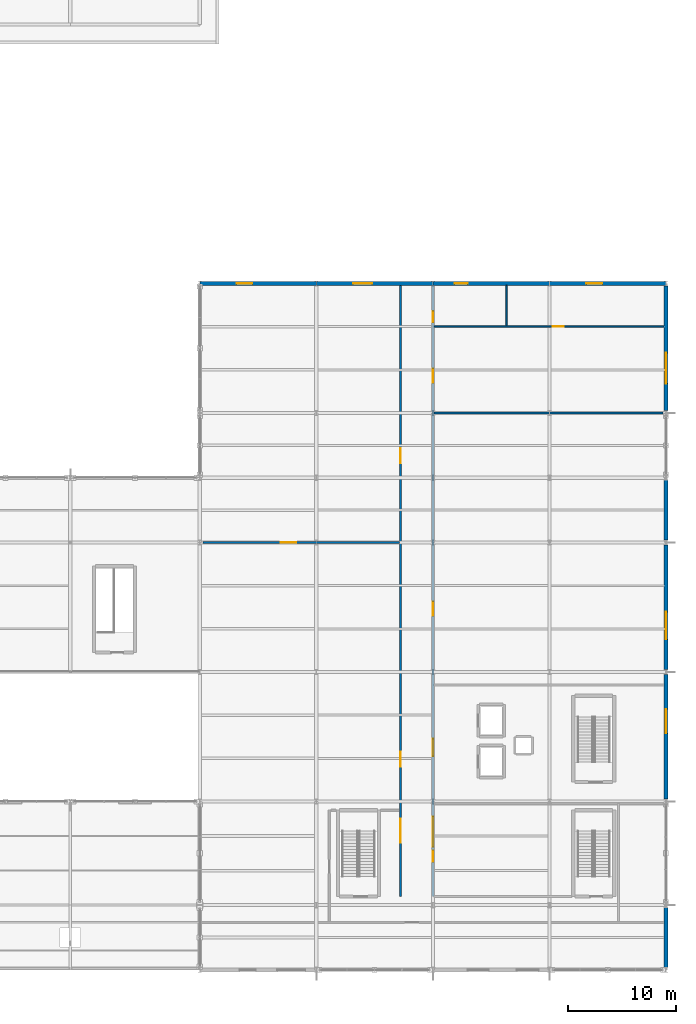
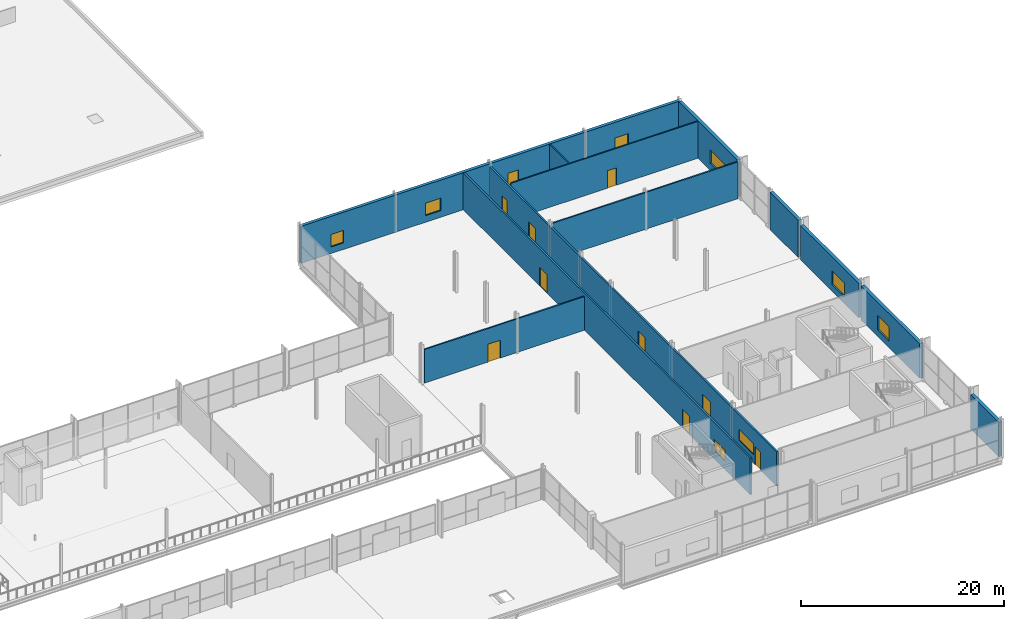
# One storey, part 142 of 159: 15 walls, 9 doors, 9 windows, 18 openings.
"""IFC4 building model written with IfcOpenShell, lengths in metres."""

from ifc_helpers import new_model, si_unit, direction, frame, frame_2d, origin, place, context, subcontext, project, spatial, rectangle, extrude, material, layer, layer_set, type_object, element, fill, save


model = new_model("IFC4")

# Units and contexts
model_context = context("Model", 3, precision=1e-05, world=origin(), true_north=direction((0.0, 1.0)))
body_context = subcontext(model_context, "Body", "Model", "MODEL_VIEW")
ifc_project = project(units=[si_unit("LENGTHUNIT", "METRE"), si_unit("AREAUNIT", "SQUARE_METRE"), si_unit("VOLUMEUNIT", "CUBIC_METRE"), si_unit("PLANEANGLEUNIT", "RADIAN"), si_unit("MASSUNIT", "GRAM", prefix="KILO")], contexts=[model_context])

# Site, building, storey
site_placement = place(None, origin())
site = spatial("IfcSite", under=ifc_project, at=site_placement, CompositionType="ELEMENT")
building_placement = place(site_placement, origin())
building = spatial("IfcBuilding", under=site, at=building_placement, Name="Merenkruunu Market Hall", CompositionType="ELEMENT")
storey_placement = place(building_placement, frame((0.0, 0.0, 5.39990234375)))
storey = spatial("IfcBuildingStorey", under=building, at=storey_placement, Name="L01", CompositionType="ELEMENT", Elevation=5.39990234375)

# Wall
ifc_material_1 = material(Name="Precast concrete C40/50", Category="concrete")
ifc_layer_1 = layer(ifc_material_1, 0.3798828125)
ifc_layer_set_1 = layer_set([ifc_layer_1], Name="Precast concrete C40/50")
wall_type_1 = type_object("IfcWallType", Name="Exterior Envelope Wall EW02", PredefinedType="STANDARD", material=ifc_layer_set_1)
wall_1_placement = place(storey_placement, frame((192.0, 5.77099609375, 0.0), z_axis=(0.0, 0.0, 1.0), x_axis=(0.0, -1.0, 0.0)))
element("IfcWall", 1, at=wall_1_placement, inside=storey, type_object=wall_type_1, Name="WALL-EXT-L01-0075", PredefinedType="STANDARD", context=body_context, shape_type="SweptSolid", body=[
    extrude(rectangle(XDim=5.5419921875, YDim=0.3798828125, at=frame_2d((2.77099609375, 0.0))), origin(), (0.0, 0.0, 1.0), 4.135009765625),
])

# Wall, opening, window
wall_2_placement = place(storey_placement, frame((192.0, 27.37109375, 0.0), z_axis=(0.0, 0.0, 1.0), x_axis=(0.0, -1.0, 0.0)))
wall_2 = element("IfcWall", 2, at=wall_2_placement, inside=storey, type_object=wall_type_1, Name="WALL-EXT-L01-0076", PredefinedType="STANDARD", context=body_context, shape_type="SweptSolid", body=[
    extrude(rectangle(XDim=11.5419921875, YDim=0.3798828125, at=frame_2d((5.77099609375, 0.0))), origin(), (0.0, 0.0, 1.0), 4.135009765625),
])
opening_1_placement = place(wall_2_placement, frame((3.199951171875, 0.0, 0.800048828125)))
opening_1 = element("IfcOpeningElement", 3, at=opening_1_placement, cuts=wall_2, Name="Opening WN26", PredefinedType="OPENING", context=body_context, shape_type="SweptSolid", body=[
    extrude(rectangle(XDim=2.25, YDim=1.75, at=frame_2d((1.125, 0.875))), frame((0.0, 0.199951171875, 0.0), z_axis=(0.0, -1.0, 0.0), x_axis=(1.0, 0.0, 0.0)), (0.0, 0.0, 1.0), 0.39990234375),
])
ifc_material_2 = material(Name="Triple low-E insulated glass", Category="glass")
ifc_layer_2 = layer(ifc_material_2, 0.06005859375)
ifc_layer_set_2 = layer_set([ifc_layer_2], Name="Triple low-E insulated glass")
window_type_1 = type_object("IfcWindowType", Name="Exterior Window WN26", PartitioningType="SINGLE_PANEL", PredefinedType="WINDOW", material=ifc_layer_set_2)
window_1_placement = place(opening_1_placement, origin())
window_1 = element("IfcWindow", 4, at=window_1_placement, inside=storey, type_object=window_type_1, Name="WIN-L01-0031", OverallHeight=1.75, OverallWidth=2.25, PartitioningType="SINGLE_PANEL", PredefinedType="WINDOW", context=body_context, shape_type="SweptSolid", body=[
    extrude(rectangle(XDim=2.25, YDim=1.75, at=frame_2d((1.125, 0.875))), frame((0.0, 0.030029296875, 0.0), z_axis=(0.0, -1.0, 0.0), x_axis=(1.0, 0.0, 0.0)), (0.0, 0.0, 1.0), 0.06005859375),
])
fill(opening_1, window_1)

wall_3_placement = place(storey_placement, frame((192.0, 39.37109375, 0.0), z_axis=(0.0, 0.0, 1.0), x_axis=(0.0, -1.0, 0.0)))
wall_3 = element("IfcWall", 5, at=wall_3_placement, inside=storey, type_object=wall_type_1, Name="WALL-EXT-L01-0077", PredefinedType="STANDARD", context=body_context, shape_type="SweptSolid", body=[
    extrude(rectangle(XDim=11.5419921875, YDim=0.3798828125, at=frame_2d((5.77099609375, 0.0))), origin(), (0.0, 0.0, 1.0), 4.135009765625),
])
opening_2_placement = place(wall_3_placement, frame((6.199951171875, 0.0, 0.800048828125)))
opening_2 = element("IfcOpeningElement", 6, at=opening_2_placement, cuts=wall_3, Name="Opening WN27", PredefinedType="OPENING", context=body_context, shape_type="SweptSolid", body=[
    extrude(rectangle(XDim=2.550048828125, YDim=1.64990234375, at=frame_2d((1.27490234375, 0.824951171875))), frame((0.0, 0.199951171875, 0.0), z_axis=(0.0, -1.0, 0.0), x_axis=(1.0, 0.0, 0.0)), (0.0, 0.0, 1.0), 0.39990234375),
])
ifc_layer_3 = layer(ifc_material_2, 0.06005859375)
ifc_layer_set_3 = layer_set([ifc_layer_3], Name="Triple low-E insulated glass")
window_type_2 = type_object("IfcWindowType", Name="Exterior Window WN27", PartitioningType="SINGLE_PANEL", PredefinedType="WINDOW", material=ifc_layer_set_3)
window_2_placement = place(opening_2_placement, origin())
window_2 = element("IfcWindow", 7, at=window_2_placement, inside=storey, type_object=window_type_2, Name="WIN-L01-0032", OverallHeight=1.64990234375, OverallWidth=2.550048828125, PartitioningType="SINGLE_PANEL", PredefinedType="WINDOW", context=body_context, shape_type="SweptSolid", body=[
    extrude(rectangle(XDim=2.550048828125, YDim=1.64990234375, at=frame_2d((1.27490234375, 0.824951171875))), frame((0.0, 0.030029296875, 0.0), z_axis=(0.0, -1.0, 0.0), x_axis=(1.0, 0.0, 0.0)), (0.0, 0.0, 1.0), 0.06005859375),
])
fill(opening_2, window_2)

# Wall
wall_4_placement = place(storey_placement, frame((192.0, 45.3759765625, 0.0), z_axis=(0.0, 0.0, 1.0), x_axis=(0.0, -1.0, 0.0)))
element("IfcWall", 8, at=wall_4_placement, inside=storey, type_object=wall_type_1, Name="WALL-EXT-L01-0078", PredefinedType="STANDARD", context=body_context, shape_type="SweptSolid", body=[
    extrude(rectangle(XDim=5.546875, YDim=0.3798828125, at=frame_2d((2.7734375, 0.0))), origin(), (0.0, 0.0, 1.0), 4.47998046875),
])

# Wall, opening, window
wall_5_placement = place(storey_placement, frame((192.0, 63.3759765625, 0.0), z_axis=(0.0, 0.0, 1.0), x_axis=(0.0, -1.0, 0.0)))
wall_5 = element("IfcWall", 9, at=wall_5_placement, inside=storey, type_object=wall_type_1, Name="WALL-EXT-L01-0079", PredefinedType="STANDARD", context=body_context, shape_type="SweptSolid", body=[
    extrude(rectangle(XDim=11.552001953125, YDim=0.3798828125, at=frame_2d((5.77587890625, 0.0))), origin(), (0.0, 0.0, 1.0), 4.47998046875),
])
opening_3_placement = place(wall_5_placement, frame((6.199951171875, 0.0, 0.800048828125)))
opening_3 = element("IfcOpeningElement", 10, at=opening_3_placement, cuts=wall_5, Name="Opening WN28", PredefinedType="OPENING", context=body_context, shape_type="SweptSolid", body=[
    extrude(rectangle(XDim=2.85009765625, YDim=1.64990234375, at=frame_2d((1.425048828125, 0.824951171875))), frame((0.0, 0.199951171875, 0.0), z_axis=(0.0, -1.0, 0.0), x_axis=(1.0, 0.0, 0.0)), (0.0, 0.0, 1.0), 0.39990234375),
])
ifc_layer_4 = layer(ifc_material_2, 0.06005859375)
ifc_layer_set_4 = layer_set([ifc_layer_4], Name="Triple low-E insulated glass")
window_type_3 = type_object("IfcWindowType", Name="Exterior Window WN28", PartitioningType="SINGLE_PANEL", PredefinedType="WINDOW", material=ifc_layer_set_4)
window_3_placement = place(opening_3_placement, origin())
window_3 = element("IfcWindow", 11, at=window_3_placement, inside=storey, type_object=window_type_3, Name="WIN-L01-0033", OverallHeight=1.64990234375, OverallWidth=2.85009765625, PartitioningType="SINGLE_PANEL", PredefinedType="WINDOW", context=body_context, shape_type="SweptSolid", body=[
    extrude(rectangle(XDim=2.85009765625, YDim=1.64990234375, at=frame_2d((1.425048828125, 0.824951171875))), frame((0.0, 0.030029296875, 0.0), z_axis=(0.0, -1.0, 0.0), x_axis=(1.0, 0.0, 0.0)), (0.0, 0.0, 1.0), 0.06005859375),
])
fill(opening_3, window_3)

ifc_layer_5 = layer(ifc_material_1, 0.340087890625)
ifc_layer_set_5 = layer_set([ifc_layer_5], Name="Precast concrete C40/50")
wall_type_2 = type_object("IfcWallType", Name="Exterior Envelope Wall EW03", PredefinedType="STANDARD", material=ifc_layer_set_5)
wall_6_placement = place(storey_placement, frame((148.809814453125, 63.60009765625, 0.0), z_axis=(0.0, 0.0, 1.0), x_axis=(1.0, 0.0, 0.0)))
wall_6 = element("IfcWall", 12, at=wall_6_placement, inside=storey, type_object=wall_type_2, Name="WALL-EXT-L01-0080", PredefinedType="STANDARD", context=body_context, shape_type="SweptSolid", body=[
    extrude(rectangle(XDim=10.7802734375, YDim=0.340087890625, at=frame_2d((5.39013671875, 0.0))), origin(), (0.0, 0.0, 1.0), 4.47998046875),
])
opening_4_placement = place(wall_6_placement, frame((3.39990234375, 0.0, 0.800048828125)))
opening_4 = element("IfcOpeningElement", 13, at=opening_4_placement, cuts=wall_6, Name="Opening WN29", PredefinedType="OPENING", context=body_context, shape_type="SweptSolid", body=[
    extrude(rectangle(XDim=1.449951171875, YDim=1.5, at=frame_2d((0.72509765625, 0.75))), frame((0.0, 0.18017578125, 0.0), z_axis=(0.0, -1.0, 0.0), x_axis=(1.0, 0.0, 0.0)), (0.0, 0.0, 1.0), 0.360107421875),
])
ifc_layer_6 = layer(ifc_material_2, 0.06005859375)
ifc_layer_set_6 = layer_set([ifc_layer_6], Name="Triple low-E insulated glass")
window_type_4 = type_object("IfcWindowType", Name="Exterior Window WN29", PartitioningType="SINGLE_PANEL", PredefinedType="WINDOW", material=ifc_layer_set_6)
window_4_placement = place(opening_4_placement, origin())
window_4 = element("IfcWindow", 14, at=window_4_placement, inside=storey, type_object=window_type_4, Name="WIN-L01-0034", OverallHeight=1.5, OverallWidth=1.449951171875, PartitioningType="SINGLE_PANEL", PredefinedType="WINDOW", context=body_context, shape_type="SweptSolid", body=[
    extrude(rectangle(XDim=1.449951171875, YDim=1.5, at=frame_2d((0.72509765625, 0.75))), frame((0.0, 0.030029296875, 0.0), z_axis=(0.0, -1.0, 0.0), x_axis=(1.0, 0.0, 0.0)), (0.0, 0.0, 1.0), 0.06005859375),
])
fill(opening_4, window_4)

wall_7_placement = place(storey_placement, frame((159.609619140625, 63.60009765625, 0.0), z_axis=(0.0, 0.0, 1.0), x_axis=(1.0, 0.0, 0.0)))
wall_7 = element("IfcWall", 15, at=wall_7_placement, inside=storey, type_object=wall_type_2, Name="WALL-EXT-L01-0081", PredefinedType="STANDARD", context=body_context, shape_type="SweptSolid", body=[
    extrude(rectangle(XDim=10.78076171875, YDim=0.340087890625, at=frame_2d((5.390380859375, 0.0))), origin(), (0.0, 0.0, 1.0), 4.47998046875),
])
opening_5_placement = place(wall_7_placement, frame((3.39990234375, 0.0, 0.800048828125)))
opening_5 = element("IfcOpeningElement", 16, at=opening_5_placement, cuts=wall_7, Name="Opening WN30", PredefinedType="OPENING", context=body_context, shape_type="SweptSolid", body=[
    extrude(rectangle(XDim=1.75, YDim=1.5, at=frame_2d((0.875, 0.75))), frame((0.0, 0.18017578125, 0.0), z_axis=(0.0, -1.0, 0.0), x_axis=(1.0, 0.0, 0.0)), (0.0, 0.0, 1.0), 0.360107421875),
])
ifc_layer_7 = layer(ifc_material_2, 0.06005859375)
ifc_layer_set_7 = layer_set([ifc_layer_7], Name="Triple low-E insulated glass")
window_type_5 = type_object("IfcWindowType", Name="Exterior Window WN30", PartitioningType="SINGLE_PANEL", PredefinedType="WINDOW", material=ifc_layer_set_7)
window_5_placement = place(opening_5_placement, origin())
window_5 = element("IfcWindow", 17, at=window_5_placement, inside=storey, type_object=window_type_5, Name="WIN-L01-0035", OverallHeight=1.5, OverallWidth=1.75, PartitioningType="SINGLE_PANEL", PredefinedType="WINDOW", context=body_context, shape_type="SweptSolid", body=[
    extrude(rectangle(XDim=1.75, YDim=1.5, at=frame_2d((0.875, 0.75))), frame((0.0, 0.030029296875, 0.0), z_axis=(0.0, -1.0, 0.0), x_axis=(1.0, 0.0, 0.0)), (0.0, 0.0, 1.0), 0.06005859375),
])
fill(opening_5, window_5)

wall_8_placement = place(storey_placement, frame((170.409912109375, 63.60009765625, 0.0), z_axis=(0.0, 0.0, 1.0), x_axis=(1.0, 0.0, 0.0)))
wall_8 = element("IfcWall", 18, at=wall_8_placement, inside=storey, type_object=wall_type_2, Name="WALL-EXT-L01-0082", PredefinedType="STANDARD", context=body_context, shape_type="SweptSolid", body=[
    extrude(rectangle(XDim=10.7802734375, YDim=0.340087890625, at=frame_2d((5.39013671875, 0.0))), origin(), (0.0, 0.0, 1.0), 4.47998046875),
])
opening_6_placement = place(wall_8_placement, frame((2.0, 0.0, 0.800048828125)))
opening_6 = element("IfcOpeningElement", 19, at=opening_6_placement, cuts=wall_8, Name="Opening WN01", PredefinedType="OPENING", context=body_context, shape_type="SweptSolid", body=[
    extrude(rectangle(XDim=1.199951171875, YDim=1.800048828125, at=frame_2d((0.60009765625, 0.89990234375))), frame((0.0, 0.18017578125, 0.0), z_axis=(0.0, -1.0, 0.0), x_axis=(1.0, 0.0, 0.0)), (0.0, 0.0, 1.0), 0.360107421875),
])
ifc_layer_8 = layer(ifc_material_2, 0.06005859375)
ifc_layer_set_8 = layer_set([ifc_layer_8], Name="Triple low-E insulated glass")
window_type_6 = type_object("IfcWindowType", Name="Exterior Window WN01", PartitioningType="SINGLE_PANEL", PredefinedType="WINDOW", material=ifc_layer_set_8)
window_6_placement = place(opening_6_placement, origin())
window_6 = element("IfcWindow", 20, at=window_6_placement, inside=storey, type_object=window_type_6, Name="WIN-L01-0036", OverallHeight=1.800048828125, OverallWidth=1.199951171875, PartitioningType="SINGLE_PANEL", PredefinedType="WINDOW", context=body_context, shape_type="SweptSolid", body=[
    extrude(rectangle(XDim=1.199951171875, YDim=1.800048828125, at=frame_2d((0.60009765625, 0.89990234375))), frame((0.0, 0.030029296875, 0.0), z_axis=(0.0, -1.0, 0.0), x_axis=(1.0, 0.0, 0.0)), (0.0, 0.0, 1.0), 0.06005859375),
])
fill(opening_6, window_6)

wall_9_placement = place(storey_placement, frame((181.209716796875, 63.60009765625, 0.0), z_axis=(0.0, 0.0, 1.0), x_axis=(1.0, 0.0, 0.0)))
wall_9 = element("IfcWall", 21, at=wall_9_placement, inside=storey, type_object=wall_type_2, Name="WALL-EXT-L01-0083", PredefinedType="STANDARD", context=body_context, shape_type="SweptSolid", body=[
    extrude(rectangle(XDim=10.780517578125, YDim=0.340087890625, at=frame_2d((5.39013671875, 0.0))), origin(), (0.0, 0.0, 1.0), 4.47998046875),
])
opening_7_placement = place(wall_9_placement, frame((3.39990234375, 0.0, 0.800048828125)))
opening_7 = element("IfcOpeningElement", 22, at=opening_7_placement, cuts=wall_9, Name="Opening WN02", PredefinedType="OPENING", context=body_context, shape_type="SweptSolid", body=[
    extrude(rectangle(XDim=1.5, YDim=1.800048828125, at=frame_2d((0.75, 0.89990234375))), frame((0.0, 0.18017578125, 0.0), z_axis=(0.0, -1.0, 0.0), x_axis=(1.0, 0.0, 0.0)), (0.0, 0.0, 1.0), 0.360107421875),
])
ifc_layer_9 = layer(ifc_material_2, 0.06005859375)
ifc_layer_set_9 = layer_set([ifc_layer_9], Name="Triple low-E insulated glass")
window_type_7 = type_object("IfcWindowType", Name="Exterior Window WN02", PartitioningType="SINGLE_PANEL", PredefinedType="WINDOW", material=ifc_layer_set_9)
window_7_placement = place(opening_7_placement, origin())
window_7 = element("IfcWindow", 23, at=window_7_placement, inside=storey, type_object=window_type_7, Name="WIN-L01-0037", OverallHeight=1.800048828125, OverallWidth=1.5, PartitioningType="SINGLE_PANEL", PredefinedType="WINDOW", context=body_context, shape_type="SweptSolid", body=[
    extrude(rectangle(XDim=1.5, YDim=1.800048828125, at=frame_2d((0.75, 0.89990234375))), frame((0.0, 0.030029296875, 0.0), z_axis=(0.0, -1.0, 0.0), x_axis=(1.0, 0.0, 0.0)), (0.0, 0.0, 1.0), 0.06005859375),
])
fill(opening_7, window_7)

# Wall, openings, doors, window
ifc_material_3 = material(Name="Gypsum fire compartment board")
ifc_layer_10 = layer(ifc_material_3, 0.199951171875)
ifc_layer_set_10 = layer_set([ifc_layer_10], Name="Gypsum fire compartment board")
wall_type_3 = type_object("IfcWallType", Name="Interior Partition Wall FW02", PredefinedType="PARTITIONING", material=ifc_layer_set_10)
wall_10_placement = place(storey_placement, frame((167.39990234375, 6.800048828125, 0.0), z_axis=(0.0, 0.0, 1.0), x_axis=(0.0, 1.0, 0.0)))
wall_10 = element("IfcWall", 24, at=wall_10_placement, inside=storey, type_object=wall_type_3, Name="WALL-INT-L01-0057", PredefinedType="PARTITIONING", context=body_context, shape_type="SweptSolid", body=[
    extrude(rectangle(XDim=56.6279296875, YDim=0.199951171875, at=frame_2d((28.31396484375, 0.0))), origin(), (0.0, 0.0, 1.0), 4.440185546875),
])
opening_8_placement = place(wall_10_placement, frame((12.0, 0.0, 0.0)))
opening_8 = element("IfcOpeningElement", 25, at=opening_8_placement, cuts=wall_10, Name="Opening FD04", PredefinedType="OPENING", context=body_context, shape_type="SweptSolid", body=[
    extrude(rectangle(XDim=1.39990234375, YDim=2.199951171875, at=frame_2d((0.699951171875, 1.10009765625))), frame((0.0, 0.10986328125, 0.0), z_axis=(0.0, -1.0, 0.0), x_axis=(1.0, 0.0, 0.0)), (0.0, 0.0, 1.0), 0.219970703125),
])
opening_9_placement = place(wall_10_placement, frame((40.133056640625, 0.0, 0.0)))
opening_9 = element("IfcOpeningElement", 26, at=opening_9_placement, cuts=wall_10, Name="Opening FD04", PredefinedType="OPENING", context=body_context, shape_type="SweptSolid", body=[
    extrude(rectangle(XDim=1.39990234375, YDim=2.199951171875, at=frame_2d((0.699951171875, 1.10009765625))), frame((0.0, 0.10986328125, 0.0), z_axis=(0.0, -1.0, 0.0), x_axis=(1.0, 0.0, 0.0)), (0.0, 0.0, 1.0), 0.219970703125),
])
opening_10_placement = place(wall_10_placement, frame((5.0, 0.0, 1.050048828125)))
opening_10 = element("IfcOpeningElement", 27, at=opening_10_placement, cuts=wall_10, Name="Opening WN21", PredefinedType="OPENING", context=body_context, shape_type="SweptSolid", body=[
    extrude(rectangle(XDim=2.199951171875, YDim=1.300048828125, at=frame_2d((1.10009765625, 0.64990234375))), frame((0.0, 0.10986328125, 0.0), z_axis=(0.0, -1.0, 0.0), x_axis=(1.0, 0.0, 0.0)), (0.0, 0.0, 1.0), 0.219970703125),
])
ifc_material_4 = material(Name="Powder-coated aluminium", Category="aluminium")
door_type_1 = type_object("IfcDoorType", Name="Fire Compartment Door FD04", OperationType="NOTDEFINED", PredefinedType="DOOR", material=ifc_material_4)
door_1_placement = place(opening_8_placement, origin())
door_1 = element("IfcDoor", 28, at=door_1_placement, inside=storey, type_object=door_type_1, Name="DR-L01-058", OperationType="SINGLE_SWING_RIGHT", OverallHeight=2.199951171875, OverallWidth=1.39990234375, PredefinedType="DOOR", context=body_context, shape_type="SweptSolid", body=[
    extrude(rectangle(XDim=1.39990234375, YDim=2.199951171875, at=frame_2d((0.699951171875, 1.10009765625))), frame((0.0, 0.02490234375, 0.0), z_axis=(0.0, -1.0, 0.0), x_axis=(1.0, 0.0, 0.0)), (0.0, 0.0, 1.0), 0.050048828125),
])
fill(opening_8, door_1)
door_2_placement = place(opening_9_placement, origin())
door_2 = element("IfcDoor", 29, at=door_2_placement, inside=storey, type_object=door_type_1, Name="DR-L01-059", OperationType="SINGLE_SWING_LEFT", OverallHeight=2.199951171875, OverallWidth=1.39990234375, PredefinedType="DOOR", context=body_context, shape_type="SweptSolid", body=[
    extrude(rectangle(XDim=1.39990234375, YDim=2.199951171875, at=frame_2d((0.699951171875, 1.10009765625))), frame((0.0, 0.02490234375, 0.0), z_axis=(0.0, -1.0, 0.0), x_axis=(1.0, 0.0, 0.0)), (0.0, 0.0, 1.0), 0.050048828125),
])
fill(opening_9, door_2)
ifc_material_5 = material(Name="Laminated safety glass", Category="glass")
ifc_layer_11 = layer(ifc_material_5, 0.06005859375)
ifc_layer_set_11 = layer_set([ifc_layer_11], Name="Laminated safety glass")
window_type_8 = type_object("IfcWindowType", Name="Internal Observation Window WN21", PartitioningType="SINGLE_PANEL", PredefinedType="WINDOW", material=ifc_layer_set_11)
window_8_placement = place(opening_10_placement, origin())
window_8 = element("IfcWindow", 30, at=window_8_placement, inside=storey, type_object=window_type_8, Name="WIN-INT-L01-03", OverallHeight=1.300048828125, OverallWidth=2.199951171875, PartitioningType="SINGLE_PANEL", PredefinedType="WINDOW", context=body_context, shape_type="SweptSolid", body=[
    extrude(rectangle(XDim=2.199951171875, YDim=1.300048828125, at=frame_2d((1.10009765625, 0.64990234375))), frame((0.0, 0.030029296875, 0.0), z_axis=(0.0, -1.0, 0.0), x_axis=(1.0, 0.0, 0.0)), (0.0, 0.0, 1.0), 0.06005859375),
])
fill(opening_10, window_8)

wall_11_placement = place(storey_placement, frame((170.39990234375, 6.800048828125, 0.0), z_axis=(0.0, 0.0, 1.0), x_axis=(0.0, 1.0, 0.0)))
wall_11 = element("IfcWall", 31, at=wall_11_placement, inside=storey, type_object=wall_type_3, Name="WALL-INT-L01-0062", PredefinedType="PARTITIONING", context=body_context, shape_type="SweptSolid", body=[
    extrude(rectangle(XDim=56.6279296875, YDim=0.199951171875, at=frame_2d((28.31396484375, 0.0))), origin(), (0.0, 0.0, 1.0), 4.135009765625),
])
opening_11_placement = place(wall_11_placement, frame((3.199951171875, 0.0, 0.0)))
opening_11 = element("IfcOpeningElement", 32, at=opening_11_placement, cuts=wall_11, Name="Opening D03", PredefinedType="OPENING", context=body_context, shape_type="SweptSolid", body=[
    extrude(rectangle(XDim=1.050048828125, YDim=2.14990234375, at=frame_2d((0.52490234375, 1.074951171875))), frame((0.0, 0.10986328125, 0.0), z_axis=(0.0, -1.0, 0.0), x_axis=(1.0, 0.0, 0.0)), (0.0, 0.0, 1.0), 0.219970703125),
])
opening_12_placement = place(wall_11_placement, frame((13.0, 0.0, 0.0)))
opening_12 = element("IfcOpeningElement", 33, at=opening_12_placement, cuts=wall_11, Name="Opening FD05", PredefinedType="OPENING", context=body_context, shape_type="SweptSolid", body=[
    extrude(rectangle(XDim=1.60009765625, YDim=2.199951171875, at=frame_2d((0.800048828125, 1.10009765625))), frame((0.0, 0.10986328125, 0.0), z_axis=(0.0, -1.0, 0.0), x_axis=(1.0, 0.0, 0.0)), (0.0, 0.0, 1.0), 0.219970703125),
])
opening_13_placement = place(wall_11_placement, frame((26.0, 0.0, 0.0)))
opening_13 = element("IfcOpeningElement", 34, at=opening_13_placement, cuts=wall_11, Name="Opening D05", PredefinedType="OPENING", context=body_context, shape_type="SweptSolid", body=[
    extrude(rectangle(XDim=1.300048828125, YDim=2.14990234375, at=frame_2d((0.64990234375, 1.074951171875))), frame((0.0, 0.10986328125, 0.0), z_axis=(0.0, -1.0, 0.0), x_axis=(1.0, 0.0, 0.0)), (0.0, 0.0, 1.0), 0.219970703125),
])
opening_14_placement = place(wall_11_placement, frame((47.60009765625, 0.0, 0.0)))
opening_14 = element("IfcOpeningElement", 35, at=opening_14_placement, cuts=wall_11, Name="Opening D05", PredefinedType="OPENING", context=body_context, shape_type="SweptSolid", body=[
    extrude(rectangle(XDim=1.300048828125, YDim=2.14990234375, at=frame_2d((0.64990234375, 1.074951171875))), frame((0.0, 0.10986328125, 0.0), z_axis=(0.0, -1.0, 0.0), x_axis=(1.0, 0.0, 0.0)), (0.0, 0.0, 1.0), 0.219970703125),
])
opening_15_placement = place(wall_11_placement, frame((53.199951171875, 0.0, 0.0)))
opening_15 = element("IfcOpeningElement", 36, at=opening_15_placement, cuts=wall_11, Name="Opening D08", PredefinedType="OPENING", context=body_context, shape_type="SweptSolid", body=[
    extrude(rectangle(XDim=1.02001953125, YDim=2.1201171875, at=frame_2d((0.510009765625, 1.06005859375))), frame((0.0, 0.10986328125, 0.0), z_axis=(0.0, -1.0, 0.0), x_axis=(1.0, 0.0, 0.0)), (0.0, 0.0, 1.0), 0.219970703125),
])
opening_16_placement = place(wall_11_placement, frame((4.60009765625, 0.0, 1.050048828125)))
opening_16 = element("IfcOpeningElement", 37, at=opening_16_placement, cuts=wall_11, Name="Opening WN22", PredefinedType="OPENING", context=body_context, shape_type="SweptSolid", body=[
    extrude(rectangle(XDim=2.800048828125, YDim=1.300048828125, at=frame_2d((1.39990234375, 0.64990234375))), frame((0.0, 0.10986328125, 0.0), z_axis=(0.0, -1.0, 0.0), x_axis=(1.0, 0.0, 0.0)), (0.0, 0.0, 1.0), 0.219970703125),
])
ifc_material_6 = material(Name="Lacquered Nordic birch")
door_type_2 = type_object("IfcDoorType", Name="Accessible Sanitary Door D08", OperationType="NOTDEFINED", PredefinedType="DOOR", material=ifc_material_6)
door_3_placement = place(opening_15_placement, origin())
door_3 = element("IfcDoor", 38, at=door_3_placement, inside=storey, type_object=door_type_2, Name="DR-L01-066", OperationType="SINGLE_SWING_RIGHT", OverallHeight=2.1201171875, OverallWidth=1.02001953125, PredefinedType="DOOR", context=body_context, shape_type="SweptSolid", body=[
    extrude(rectangle(XDim=1.02001953125, YDim=2.1201171875, at=frame_2d((0.510009765625, 1.06005859375))), frame((0.0, 0.02490234375, 0.0), z_axis=(0.0, -1.0, 0.0), x_axis=(1.0, 0.0, 0.0)), (0.0, 0.0, 1.0), 0.050048828125),
])
fill(opening_15, door_3)
door_type_3 = type_object("IfcDoorType", Name="Fire Compartment Door FD05", OperationType="NOTDEFINED", PredefinedType="DOOR", material=ifc_material_4)
door_4_placement = place(opening_12_placement, origin())
door_4 = element("IfcDoor", 39, at=door_4_placement, inside=storey, type_object=door_type_3, Name="DR-L01-063", OperationType="SINGLE_SWING_LEFT", OverallHeight=2.199951171875, OverallWidth=1.60009765625, PredefinedType="DOOR", context=body_context, shape_type="SweptSolid", body=[
    extrude(rectangle(XDim=1.60009765625, YDim=2.199951171875, at=frame_2d((0.800048828125, 1.10009765625))), frame((0.0, 0.02490234375, 0.0), z_axis=(0.0, -1.0, 0.0), x_axis=(1.0, 0.0, 0.0)), (0.0, 0.0, 1.0), 0.050048828125),
])
fill(opening_12, door_4)
ifc_layer_12 = layer(ifc_material_5, 0.06005859375)
ifc_layer_set_12 = layer_set([ifc_layer_12], Name="Laminated safety glass")
window_type_9 = type_object("IfcWindowType", Name="Internal Observation Window WN22", PartitioningType="SINGLE_PANEL", PredefinedType="WINDOW", material=ifc_layer_set_12)
window_9_placement = place(opening_16_placement, origin())
window_9 = element("IfcWindow", 40, at=window_9_placement, inside=storey, type_object=window_type_9, Name="WIN-INT-L01-04", OverallHeight=1.300048828125, OverallWidth=2.800048828125, PartitioningType="SINGLE_PANEL", PredefinedType="WINDOW", context=body_context, shape_type="SweptSolid", body=[
    extrude(rectangle(XDim=2.800048828125, YDim=1.300048828125, at=frame_2d((1.39990234375, 0.64990234375))), frame((0.0, 0.030029296875, 0.0), z_axis=(0.0, -1.0, 0.0), x_axis=(1.0, 0.0, 0.0)), (0.0, 0.0, 1.0), 0.06005859375),
])
fill(opening_16, window_9)
door_type_4 = type_object("IfcDoorType", Name="Pedestrian Room Door D03", OperationType="NOTDEFINED", PredefinedType="DOOR", material=ifc_material_6)
door_5_placement = place(opening_11_placement, origin())
door_5 = element("IfcDoor", 41, at=door_5_placement, inside=storey, type_object=door_type_4, Name="DR-L01-062", OperationType="SINGLE_SWING_RIGHT", OverallHeight=2.14990234375, OverallWidth=1.050048828125, PredefinedType="DOOR", context=body_context, shape_type="SweptSolid", body=[
    extrude(rectangle(XDim=1.050048828125, YDim=2.14990234375, at=frame_2d((0.52490234375, 1.074951171875))), frame((0.0, 0.02490234375, 0.0), z_axis=(0.0, -1.0, 0.0), x_axis=(1.0, 0.0, 0.0)), (0.0, 0.0, 1.0), 0.050048828125),
])
fill(opening_11, door_5)
door_type_5 = type_object("IfcDoorType", Name="Pedestrian Room Door D05", OperationType="NOTDEFINED", PredefinedType="DOOR", material=ifc_material_6)
door_6_placement = place(opening_13_placement, origin())
door_6 = element("IfcDoor", 42, at=door_6_placement, inside=storey, type_object=door_type_5, Name="DR-L01-064", OperationType="SINGLE_SWING_RIGHT", OverallHeight=2.14990234375, OverallWidth=1.300048828125, PredefinedType="DOOR", context=body_context, shape_type="SweptSolid", body=[
    extrude(rectangle(XDim=1.300048828125, YDim=2.14990234375, at=frame_2d((0.64990234375, 1.074951171875))), frame((0.0, 0.02490234375, 0.0), z_axis=(0.0, -1.0, 0.0), x_axis=(1.0, 0.0, 0.0)), (0.0, 0.0, 1.0), 0.050048828125),
])
fill(opening_13, door_6)
door_7_placement = place(opening_14_placement, origin())
door_7 = element("IfcDoor", 43, at=door_7_placement, inside=storey, type_object=door_type_5, Name="DR-L01-065", OperationType="SINGLE_SWING_LEFT", OverallHeight=2.14990234375, OverallWidth=1.300048828125, PredefinedType="DOOR", context=body_context, shape_type="SweptSolid", body=[
    extrude(rectangle(XDim=1.300048828125, YDim=2.14990234375, at=frame_2d((0.64990234375, 1.074951171875))), frame((0.0, 0.02490234375, 0.0), z_axis=(0.0, -1.0, 0.0), x_axis=(1.0, 0.0, 0.0)), (0.0, 0.0, 1.0), 0.050048828125),
])
fill(opening_14, door_7)

# Wall, opening, door
ifc_material_7 = material(Name="Gypsum acoustic partition board")
ifc_layer_13 = layer(ifc_material_7, 0.159912109375)
ifc_layer_set_13 = layer_set([ifc_layer_13], Name="Gypsum acoustic partition board")
wall_type_4 = type_object("IfcWallType", Name="Interior Partition Wall PW01", PredefinedType="PARTITIONING", material=ifc_layer_set_13)
wall_12_placement = place(storey_placement, frame((149.10009765625, 39.60009765625, 0.0), z_axis=(0.0, 0.0, 1.0), x_axis=(1.0, 0.0, 0.0)))
wall_12 = element("IfcWall", 44, at=wall_12_placement, inside=storey, type_object=wall_type_4, Name="WALL-INT-L01-0061", PredefinedType="PARTITIONING", context=body_context, shape_type="SweptSolid", body=[
    extrude(rectangle(XDim=18.197998046875, YDim=0.159912109375, at=frame_2d((9.09912109375, 0.0))), origin(), (0.0, 0.0, 1.0), 4.045166015625),
])
opening_17_placement = place(wall_12_placement, frame((7.199951171875, 0.0, 0.0)))
opening_17 = element("IfcOpeningElement", 45, at=opening_17_placement, cuts=wall_12, Name="Opening D12", PredefinedType="OPENING", context=body_context, shape_type="SweptSolid", body=[
    extrude(rectangle(XDim=1.43994140625, YDim=2.14990234375, at=frame_2d((0.719970703125, 1.074951171875))), frame((0.0, 0.08984375, 0.0), z_axis=(0.0, -1.0, 0.0), x_axis=(1.0, 0.0, 0.0)), (0.0, 0.0, 1.0), 0.179931640625),
])
door_type_6 = type_object("IfcDoorType", Name="Pedestrian Room Door D12", OperationType="NOTDEFINED", PredefinedType="DOOR", material=ifc_material_6)
door_8_placement = place(opening_17_placement, origin())
door_8 = element("IfcDoor", 46, at=door_8_placement, inside=storey, type_object=door_type_6, Name="DR-L01-061", OperationType="SINGLE_SWING_LEFT", OverallHeight=2.14990234375, OverallWidth=1.43994140625, PredefinedType="DOOR", context=body_context, shape_type="SweptSolid", body=[
    extrude(rectangle(XDim=1.43994140625, YDim=2.14990234375, at=frame_2d((0.719970703125, 1.074951171875))), frame((0.0, 0.02490234375, 0.0), z_axis=(0.0, -1.0, 0.0), x_axis=(1.0, 0.0, 0.0)), (0.0, 0.0, 1.0), 0.050048828125),
])
fill(opening_17, door_8)

# Wall
wall_13_placement = place(storey_placement, frame((170.501953125, 51.60009765625, 0.0), z_axis=(0.0, 0.0, 1.0), x_axis=(1.0, 0.0, 0.0)))
element("IfcWall", 47, at=wall_13_placement, inside=storey, type_object=wall_type_4, Name="WALL-INT-L01-0067", PredefinedType="PARTITIONING", context=body_context, shape_type="SweptSolid", body=[
    extrude(rectangle(XDim=21.197998046875, YDim=0.159912109375, at=frame_2d((10.59912109375, 0.0))), origin(), (0.0, 0.0, 1.0), 4.440185546875),
])

# Wall, opening, door
ifc_material_8 = material(Name="Ceramic hygienic wet-room board")
ifc_layer_14 = layer(ifc_material_8, 0.139892578125)
ifc_layer_set_14 = layer_set([ifc_layer_14], Name="Ceramic hygienic wet-room board")
wall_type_5 = type_object("IfcWallType", Name="Interior Partition Wall PW02", PredefinedType="PARTITIONING", material=ifc_layer_set_14)
wall_14_placement = place(storey_placement, frame((170.501953125, 59.60009765625, 0.0), z_axis=(0.0, 0.0, 1.0), x_axis=(1.0, 0.0, 0.0)))
wall_14 = element("IfcWall", 48, at=wall_14_placement, inside=storey, type_object=wall_type_5, Name="WALL-INT-L01-0068", PredefinedType="PARTITIONING", context=body_context, shape_type="SweptSolid", body=[
    extrude(rectangle(XDim=21.30615234375, YDim=0.139892578125, at=frame_2d((10.653076171875, 0.0))), origin(), (0.0, 0.0, 1.0), 4.440185546875),
])
opening_18_placement = place(wall_14_placement, frame((11.0, 0.0, 0.0)))
opening_18 = element("IfcOpeningElement", 49, at=opening_18_placement, cuts=wall_14, Name="Opening D02", PredefinedType="OPENING", context=body_context, shape_type="SweptSolid", body=[
    extrude(rectangle(XDim=1.0, YDim=2.10009765625, at=frame_2d((0.5, 1.050048828125))), frame((0.0, 0.080078125, 0.0), z_axis=(0.0, -1.0, 0.0), x_axis=(1.0, 0.0, 0.0)), (0.0, 0.0, 1.0), 0.159912109375),
])
door_type_7 = type_object("IfcDoorType", Name="Pedestrian Room Door D02", OperationType="NOTDEFINED", PredefinedType="DOOR", material=ifc_material_6)
door_9_placement = place(opening_18_placement, origin())
door_9 = element("IfcDoor", 50, at=door_9_placement, inside=storey, type_object=door_type_7, Name="DR-L01-067", OperationType="SINGLE_SWING_LEFT", OverallHeight=2.10009765625, OverallWidth=1.0, PredefinedType="DOOR", context=body_context, shape_type="SweptSolid", body=[
    extrude(rectangle(XDim=1.0, YDim=2.10009765625, at=frame_2d((0.5, 1.050048828125))), frame((0.0, 0.02490234375, 0.0), z_axis=(0.0, -1.0, 0.0), x_axis=(1.0, 0.0, 0.0)), (0.0, 0.0, 1.0), 0.050048828125),
])
fill(opening_18, door_9)

# Wall
wall_15_placement = place(storey_placement, frame((177.199951171875, 59.672119140625, 0.0), z_axis=(0.0, 0.0, 1.0), x_axis=(0.0, 1.0, 0.0)))
element("IfcWall", 51, at=wall_15_placement, inside=storey, type_object=wall_type_5, Name="WALL-INT-L01-0069", PredefinedType="PARTITIONING", context=body_context, shape_type="SweptSolid", body=[
    extrude(rectangle(XDim=3.755859375, YDim=0.139892578125, at=frame_2d((1.8779296875, 0.0))), origin(), (0.0, 0.0, 1.0), 4.440185546875),
])

save(model, "model.ifc")
